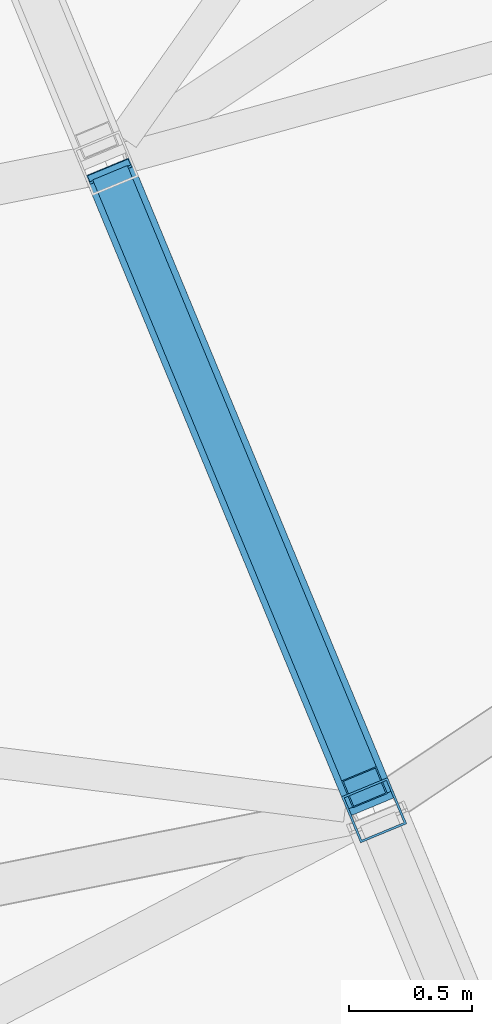
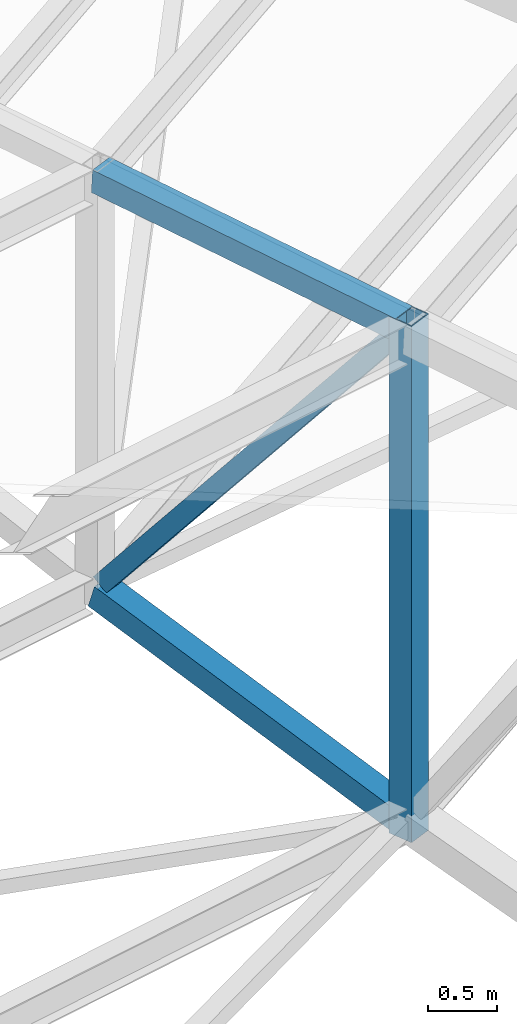
# One storey, part 25 of 278: 3 beams, 1 member.
"""IFC4 building model written with IfcOpenShell, lengths in metres."""

from ifc_helpers import new_model, si_unit, direction, frame, origin, origin_2d, place, context, subcontext, project, spatial, hollow_rectangle, extrude, material, material_profile, profile_set, type_object, element, save


model = new_model("IFC4")

# Units and contexts
model_context = context("Model", 3, precision=1e-05, world=origin(), true_north=direction((0.0, 1.0)))
body_context = subcontext(model_context, "Body", "Model", "MODEL_VIEW")
ifc_project = project(units=[si_unit("LENGTHUNIT", "METRE"), si_unit("AREAUNIT", "SQUARE_METRE"), si_unit("VOLUMEUNIT", "CUBIC_METRE"), si_unit("PLANEANGLEUNIT", "RADIAN"), si_unit("MASSUNIT", "GRAM", prefix="KILO")], contexts=[model_context])

# Site, building, storey
site_placement = place(None, origin())
site = spatial("IfcSite", under=ifc_project, at=site_placement, CompositionType="ELEMENT")
building_placement = place(site_placement, origin())
building = spatial("IfcBuilding", under=site, at=building_placement, Name="Ogive Plaza Stadium", CompositionType="ELEMENT")
storey_placement = place(building_placement, frame((0.0, 0.0, 29.0)))
storey = spatial("IfcBuildingStorey", under=building, at=storey_placement, Name="Roof", CompositionType="ELEMENT", Elevation=29.0)

# Beam
ifc_material_1 = material(Name="Steel ASTM A500 Grade C", Category="steel")
ifc_material_profile_1 = material_profile(ifc_material_1, hollow_rectangle(XDim=0.203125, YDim=0.203125, WallThickness=0.01171875, at=origin_2d()), Name="HSS8X8X1/2")
ifc_profile_set_1 = profile_set([ifc_material_profile_1], Name="Steel ASTM A500 Grade C")
beam_type_1 = type_object("IfcBeamType", Name="Roof truss bottom chord HSS8X8X1/2", PredefinedType="BEAM", material=ifc_profile_set_1)
beam_1_placement = place(storey_placement, frame((41.689697265625, -71.064697265625, 3.2412109375), z_axis=(0.36727087962, -0.886574426433, -0.281243466376), x_axis=(0.923864895024, 0.382718768474, 0.0)))
element("IfcBeam", 1, at=beam_1_placement, inside=storey, type_object=beam_type_1, Name="ROOF TRUSS T11 BOTTOM CHORD 4", PredefinedType="BEAM", context=body_context, shape_type="SweptSolid", body=[
    extrude(hollow_rectangle(XDim=0.203125, YDim=0.203125, WallThickness=0.01171875, at=origin_2d()), origin(), (0.0, 0.0, 1.0), 2.877685546875),
])

# Member
ifc_material_2 = material(Name="Steel ASTM A500 Grade C", Category="steel")
ifc_material_profile_2 = material_profile(ifc_material_2, hollow_rectangle(XDim=0.15234375, YDim=0.15234375, WallThickness=0.005859375, at=origin_2d()), Name="HSS6X6X1/4")
ifc_profile_set_2 = profile_set([ifc_material_profile_2], Name="Steel ASTM A500 Grade C")
member_type = type_object("IfcMemberType", Name="Roof truss diagonal HSS6X6X1/4", PredefinedType="BRACE", material=ifc_profile_set_2)
member_placement = place(storey_placement, frame((41.711669921875, -71.11767578125, 3.3515625), z_axis=(0.239434593828, -0.578013230123, 0.780110108306), x_axis=(0.923871804697, 0.382702088427, 0.0)))
element("IfcMember", 2, at=member_placement, inside=storey, type_object=member_type, Name="ROOF TRUSS T11 DIAGONAL 4", PredefinedType="BRACE", context=body_context, shape_type="SweptSolid", body=[
    extrude(hollow_rectangle(XDim=0.15234375, YDim=0.15234375, WallThickness=0.005859375, at=origin_2d()), origin(), (0.0, 0.0, 1.0), 4.23046875),
])

# Beams
ifc_material_3 = material(Name="Steel ASTM A500 Grade C", Category="steel")
ifc_material_profile_3 = material_profile(ifc_material_3, hollow_rectangle(XDim=0.203125, YDim=0.203125, WallThickness=0.0087890625, at=origin_2d()), Name="HSS8X8X3/8")
ifc_profile_set_3 = profile_set([ifc_material_profile_3], Name="Steel ASTM A500 Grade C")
beam_type_2 = type_object("IfcBeamType", Name="Roof truss post HSS8X8X3/8", PredefinedType="BEAM", material=ifc_profile_set_3)
beam_2_placement = place(storey_placement, frame((42.763427734375, -73.65673828125, 2.31298828125), z_axis=(0.0, 0.0, 1.0), x_axis=(0.923879532511, 0.382683432365, 0.0)))
element("IfcBeam", 3, at=beam_2_placement, inside=storey, type_object=beam_type_2, Name="ROOF TRUSS T11 POST 5", PredefinedType="BEAM", context=body_context, shape_type="SweptSolid", body=[
    extrude(hollow_rectangle(XDim=0.203125, YDim=0.203125, WallThickness=0.0087890625, at=origin_2d()), origin(), (0.0, 0.0, 1.0), 4.5419921875),
])
ifc_material_4 = material(Name="Steel ASTM A500 Grade C", Category="steel")
ifc_material_profile_4 = material_profile(ifc_material_4, hollow_rectangle(XDim=0.203125, YDim=0.203125, WallThickness=0.0087890625, at=origin_2d()), Name="HSS8X8X3/8")
ifc_profile_set_4 = profile_set([ifc_material_profile_4], Name="Steel ASTM A500 Grade C")
beam_type_3 = type_object("IfcBeamType", Name="Roof truss top chord HSS8X8X3/8", PredefinedType="BEAM", material=ifc_profile_set_4)
beam_3_placement = place(storey_placement, frame((41.69189453125, -71.070068359375, 6.893310546875), z_axis=(0.382258780814, -0.922705839284, -0.049921524843), x_axis=(0.923857757469, 0.382735997737, 0.0)))
element("IfcBeam", 4, at=beam_3_placement, inside=storey, type_object=beam_type_3, Name="ROOF TRUSS T11 TOP CHORD 4", PredefinedType="BEAM", context=body_context, shape_type="SweptSolid", body=[
    extrude(hollow_rectangle(XDim=0.203125, YDim=0.203125, WallThickness=0.0087890625, at=origin_2d()), origin(), (0.0, 0.0, 1.0), 2.75341796875),
])

save(model, "model.ifc")
